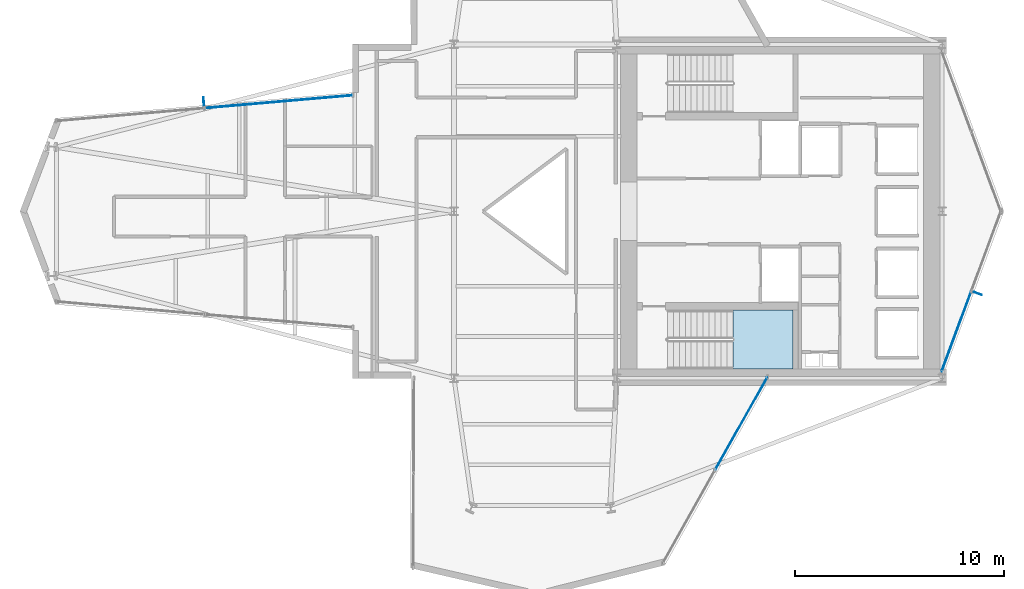
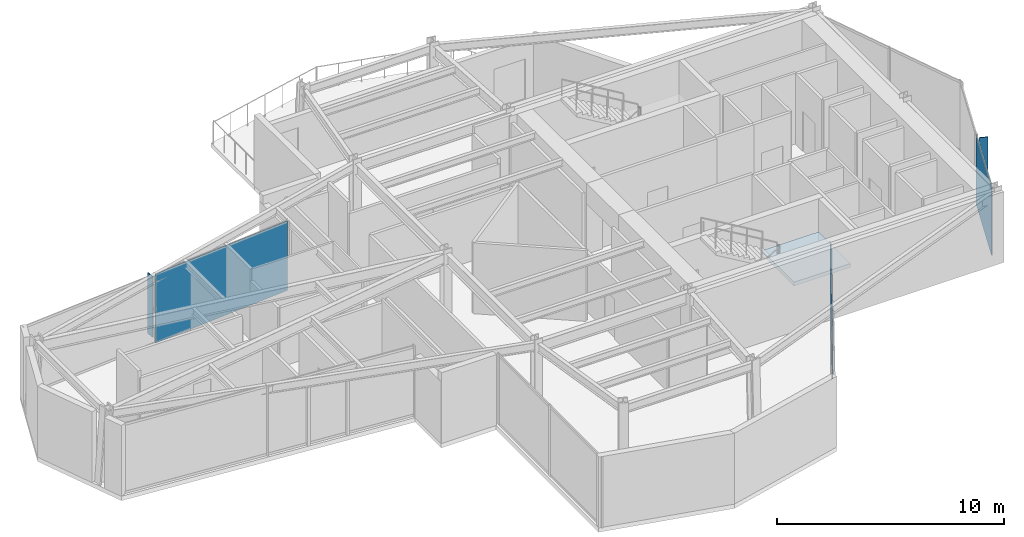
# One storey, part 18 of 23: 5 plates, 1 slab, 4 elements without a shape of their own.
"""IFC4 building model written with IfcOpenShell, lengths in metres."""

import ifcopenshell
import ifcopenshell.guid

model = None  # the IFC model being written
_history = None  # IfcOwnerHistory: only IFC2X3 demands one
_inside = {}  # id of a spatial element -> (the spatial element, [elements in it])
_under = {}  # id of a project, library or spatial element -> (it, [spatial elements below it])
_declared = {}  # id of a project -> (the project, [libraries it declares])
_typed = {}  # id of a type object -> (the type object, [elements of that type])
_made_of = {}  # id of a material, layer set ... -> (it, [elements and type objects made of it])


def new_model(schema):
    """Start an empty IFC model of exactly this schema.

    Asked for "IFC4X3", IfcOpenShell would pick the latest addendum, in which some entities
    have other attributes; the version numbers below select the first issue.
    IFC2X3 requires an IfcOwnerHistory on every rooted entity: one is made here for all.
    """
    global model, _history
    if schema == "IFC4X3":
        model = ifcopenshell.file(schema_version=(4, 3, 0, 0))
    else:
        model = ifcopenshell.file(schema=schema)
    _inside.clear()
    _under.clear()
    _declared.clear()
    _typed.clear()
    _made_of.clear()
    _history = None
    if model.schema == "IFC2X3":
        org = make("IfcOrganization", Name="unknown")
        user = make(
            "IfcPersonAndOrganization",
            ThePerson=make("IfcPerson", FamilyName="unknown"),
            TheOrganization=org,
        )
        app = make(
            "IfcApplication",
            ApplicationDeveloper=org,
            Version="unknown",
            ApplicationFullName="unknown",
            ApplicationIdentifier="unknown",
        )
        _history = make(
            "IfcOwnerHistory",
            OwningUser=user,
            OwningApplication=app,
            ChangeAction="ADDED",
            CreationDate=0,
        )
    return model


def make(cls, **values):
    """One entity of the class cls with the attributes given. An attribute that is None is left unset."""
    return model.create_entity(
        cls, **{name: value for name, value in values.items() if value is not None}
    )


def rooted(cls, **values):
    """An entity with a GlobalId (a new one), such as an element, a storey or a relation."""
    return make(cls, GlobalId=ifcopenshell.guid.new(), OwnerHistory=_history, **values)


def si_unit(unit_type, name, prefix=None):
    """IfcSIUnit, for example si_unit("LENGTHUNIT", "METRE", prefix="MILLI")."""
    return make("IfcSIUnit", UnitType=unit_type, Prefix=prefix, Name=name)


def assignment(units):
    """IfcUnitAssignment: the units of a project."""
    return None if units is None else make("IfcUnitAssignment", Units=units)


def point(xyz):
    """IfcCartesianPoint."""
    return None if xyz is None else make("IfcCartesianPoint", Coordinates=xyz)


def direction(xyz):
    """IfcDirection."""
    return None if xyz is None else make("IfcDirection", DirectionRatios=xyz)


def frame(location, z_axis=None, x_axis=None):
    """IfcAxis2Placement3D, a coordinate frame: its origin and axes. An axis left out is left unset."""
    return make(
        "IfcAxis2Placement3D",
        Location=point(location),
        Axis=direction(z_axis),
        RefDirection=direction(x_axis),
    )


def frame_2d(location, x_axis=None):
    """IfcAxis2Placement2D, a coordinate frame in the plane: its origin and x axis."""
    return make(
        "IfcAxis2Placement2D", Location=point(location), RefDirection=direction(x_axis)
    )


def origin():
    """The frame at (0, 0, 0) with its axes left unset."""
    return frame((0.0, 0.0, 0.0))


def origin_2d():
    """The frame at (0, 0) in the plane with its x axis left unset."""
    return frame_2d((0.0, 0.0))


def place(relative_to, where):
    """IfcLocalPlacement: puts the frame where relative to a parent placement (None: the world)."""
    return make(
        "IfcLocalPlacement", PlacementRelTo=relative_to, RelativePlacement=where
    )


def context(
    kind, dimensions, precision=None, world=None, true_north=None, identifier=None
):
    """IfcGeometricRepresentationContext, for example the 3D "Model" context."""
    return make(
        "IfcGeometricRepresentationContext",
        ContextIdentifier=identifier,
        ContextType=kind,
        CoordinateSpaceDimension=dimensions,
        Precision=precision,
        WorldCoordinateSystem=world,
        TrueNorth=true_north,
    )


def subcontext(parent, identifier, kind, view, scale=None):
    """IfcGeometricRepresentationSubContext, for example "Body" below "Model"."""
    return make(
        "IfcGeometricRepresentationSubContext",
        ContextIdentifier=identifier,
        ContextType=kind,
        ParentContext=parent,
        TargetScale=scale,
        TargetView=view,
    )


def project(units=None, contexts=None):
    """IfcProject with its units and contexts."""
    return rooted(
        "IfcProject",
        Name="project",
        RepresentationContexts=contexts,
        UnitsInContext=assignment(units),
    )


def spatial(cls, under=None, at=None, **own):
    """A site, building, storey or space (cls), placed at a placement, below another one or the project."""
    s = rooted(cls, ObjectPlacement=at, **own)
    if under is not None:
        _under.setdefault(under.id(), (under, []))[1].append(s)
    return s


def polyline(points):
    """IfcPolyline through the points."""
    return make("IfcPolyline", Points=[point(p) for p in points])


def profile(cls, at=None, kind="AREA", **sizes):
    """A parametric profile (cls). Its sizes go by their IFC names, for example OverallWidth=200.0."""
    return make(cls, ProfileType=kind, Position=at, **sizes)


def rectangle(**sizes):
    """IfcRectangleProfileDef."""
    return profile("IfcRectangleProfileDef", **sizes)


def outline(outer, holes=None, kind="AREA"):
    """IfcArbitraryClosedProfileDef: a profile drawn as a closed curve; with holes, ...WithVoids."""
    if holes is None:
        return make("IfcArbitraryClosedProfileDef", ProfileType=kind, OuterCurve=outer)
    return make(
        "IfcArbitraryProfileDefWithVoids",
        ProfileType=kind,
        OuterCurve=outer,
        InnerCurves=holes,
    )


def extrude(swept, where, along, depth):
    """IfcExtrudedAreaSolid: the profile swept, set in the frame where, extruded along a direction by depth."""
    return make(
        "IfcExtrudedAreaSolid",
        SweptArea=swept,
        Position=where,
        ExtrudedDirection=direction(along),
        Depth=depth,
    )


def shape(context_of_items, identifier, shape_type, items):
    """IfcShapeRepresentation: the items that make up one representation, for example the "Body"."""
    return make(
        "IfcShapeRepresentation",
        ContextOfItems=context_of_items,
        RepresentationIdentifier=identifier,
        RepresentationType=shape_type,
        Items=items,
    )


def material(Name=None, Category=None):
    """IfcMaterial."""
    return make("IfcMaterial", Name=Name, Category=Category)


def layer(
    of_material, thickness, ventilated=None, Name=None, Category=None, Priority=None
):
    """IfcMaterialLayer: one layer of a wall or slab, of a material (None: an air gap)."""
    return make(
        "IfcMaterialLayer",
        Material=of_material,
        LayerThickness=thickness,
        IsVentilated=ventilated,
        Name=Name,
        Category=Category,
        Priority=Priority,
    )


def layer_set(layers, Name=None):
    """IfcMaterialLayerSet."""
    return make("IfcMaterialLayerSet", MaterialLayers=layers, LayerSetName=Name)


def made_of(thing, what):
    """Note that an element or type object is made of a material, layer set ...; save() writes the relation."""
    if what is not None:
        _made_of.setdefault(what.id(), (what, []))[1].append(thing)
    return thing


def type_object(cls, material=None, **own):
    """A type object (cls), such as IfcWallType, which elements share."""
    return made_of(rooted(cls, **own), material)


def element(
    cls,
    number,
    at=None,
    inside=None,
    cuts=None,
    type_object=None,
    material=None,
    context=None,
    identifier="Body",
    shape_type=None,
    held_by="IfcProductDefinitionShape",
    body=None,
    shapes=None,
    **own,
):
    """One element of the class cls, such as IfcWall. Its Tag is "e" and its number.

    at: its placement. inside: the storey or other place that contains it. cuts: it is an
    opening in that element (IfcRelVoidsElement). A single representation is given by context,
    identifier, shape_type and body (its items); several are given by shapes. held_by: the class
    of the entity that holds the representations. save() writes the other relations.
    """
    e = rooted(cls, Tag="e%d" % number, ObjectPlacement=at, **own)
    if body is not None:
        shapes = [shape(context, identifier, shape_type, body)]
    if shapes is not None:
        e.Representation = make(held_by, Representations=shapes)
    if inside is not None:
        _inside.setdefault(inside.id(), (inside, []))[1].append(e)
    if cuts is not None:
        rooted(
            "IfcRelVoidsElement", RelatingBuildingElement=cuts, RelatedOpeningElement=e
        )
    if type_object is not None:
        _typed.setdefault(type_object.id(), (type_object, []))[1].append(e)
    return made_of(e, material)


def aggregate(whole, parts):
    """IfcRelAggregates: a whole, such as a stair, and the parts it consists of."""
    return rooted("IfcRelAggregates", RelatingObject=whole, RelatedObjects=parts)


def save(model, path):
    """Write the relations noted so far, then the file.

    IfcRelAggregates (storeys below a building ...), IfcRelContainedInSpatialStructure (elements
    in a storey), IfcRelDefinesByType, IfcRelAssociatesMaterial and IfcRelDeclares: one each for
    every whole, place, type object, material and project.
    """
    for whole, parts in _under.values():
        aggregate(whole, parts)
    for where, things in _inside.values():
        rooted(
            "IfcRelContainedInSpatialStructure",
            RelatedElements=things,
            RelatingStructure=where,
        )
    for kind, things in _typed.values():
        rooted("IfcRelDefinesByType", RelatedObjects=things, RelatingType=kind)
    for what, things in _made_of.values():
        rooted("IfcRelAssociatesMaterial", RelatedObjects=things, RelatingMaterial=what)
    for by, libraries in _declared.values():
        rooted("IfcRelDeclares", RelatingContext=by, RelatedDefinitions=libraries)
    model.write(path)


model = new_model("IFC4")

# Units and contexts
model_context = context("Model", 3, precision=1e-05, world=origin(), true_north=direction((0.0, 1.0)))
body_context = subcontext(model_context, "Body", "Model", "MODEL_VIEW")
ifc_project = project(units=[si_unit("LENGTHUNIT", "METRE"), si_unit("AREAUNIT", "SQUARE_METRE"), si_unit("VOLUMEUNIT", "CUBIC_METRE"), si_unit("PLANEANGLEUNIT", "RADIAN"), si_unit("MASSUNIT", "GRAM", prefix="KILO")], contexts=[model_context])

# Site, building, storey
site_placement = place(None, origin())
site = spatial("IfcSite", under=ifc_project, at=site_placement, CompositionType="ELEMENT")
building_placement = place(site_placement, origin())
building = spatial("IfcBuilding", under=site, at=building_placement, Name="Veymaron Broadcast Tower", CompositionType="ELEMENT")
storey_placement = place(building_placement, frame((0.0, 0.0, 165.449951171875)))
storey = spatial("IfcBuildingStorey", under=building, at=storey_placement, Name="L38", CompositionType="ELEMENT", Elevation=165.449951171875)

# Curtain wall, plate
ifc_material_1 = material(Name="Anodised aluminium AA 6063-T6 and laminated low-E dark glass", Category="aluminium")
ifc_layer_1 = layer(ifc_material_1, 0.179931640625)
ifc_layer_set_1 = layer_set([ifc_layer_1], Name="Anodised aluminium AA 6063-T6 and laminated low-E dark glass")
curtain_wall_type = type_object("IfcCurtainWallType", Name="CW-SYS-03", PredefinedType="NOTDEFINED", material=ifc_layer_set_1)
curtain_wall_1_placement = place(storey_placement, origin())
curtain_wall_1 = element("IfcCurtainWall", 1, at=curtain_wall_1_placement, inside=storey, type_object=curtain_wall_type, Name="L38 dark-glass curtain wall CW-L38-E1-1", PredefinedType="NOTDEFINED")
ifc_material_2 = material(Name="Insulated dark-anodised aluminium spandrel panel 40 mm", Category="aluminium")
ifc_layer_2 = layer(ifc_material_2, 0.0400390625)
ifc_layer_set_2 = layer_set([ifc_layer_2], Name="Insulated dark-anodised aluminium spandrel panel 40 mm")
plate_type_1 = type_object("IfcPlateType", Name="CW-PNL-03", PredefinedType="CURTAIN_PANEL", material=ifc_layer_set_2)
plate_1_placement = place(storey_placement, frame((44.970947265625, 13.8330078125, 0.0400390625), z_axis=(0.0, 0.0, 1.0), x_axis=(0.490143289315, 0.871641873673, 0.0)))
plate_1 = element("IfcPlate", 2, at=plate_1_placement, type_object=plate_type_1, Name="CW-L38-E1-1 unitised curtain panel 1", PredefinedType="CURTAIN_PANEL", context=body_context, shape_type="SweptSolid", body=[
    extrude(rectangle(XDim=5.0693359375, YDim=0.0400390625, at=origin_2d()), origin(), (0.0, 0.0, 1.0), 3.72998046875),
])
aggregate(curtain_wall_1, [plate_1])

curtain_wall_2_placement = place(storey_placement, origin())
curtain_wall_2 = element("IfcCurtainWall", 3, at=curtain_wall_2_placement, inside=storey, type_object=curtain_wall_type, Name="L38 dark-glass curtain wall CW-L38-E3-1", PredefinedType="NOTDEFINED")
plate_2_placement = place(storey_placement, frame((55.27880859375, 18.2373046875, 0.0400390625), z_axis=(0.0, 0.0, 1.0), x_axis=(0.347115706928, 0.937822310464, 0.0)))
plate_2 = element("IfcPlate", 4, at=plate_2_placement, type_object=plate_type_1, Name="CW-L38-E3-1 unitised curtain panel 0", PredefinedType="CURTAIN_PANEL", context=body_context, shape_type="SweptSolid", body=[
    extrude(rectangle(XDim=4.07080078125, YDim=0.0400390625, at=origin_2d()), origin(), (0.0, 0.0, 1.0), 3.72998046875),
])
aggregate(curtain_wall_2, [plate_2])

curtain_wall_3_placement = place(storey_placement, origin())
curtain_wall_3 = element("IfcCurtainWall", 5, at=curtain_wall_3_placement, inside=storey, type_object=curtain_wall_type, Name="L38 dark-glass curtain wall CW-L38-E11-1", PredefinedType="NOTDEFINED")
plate_3_placement = place(storey_placement, frame((22.795166015625, 29.251708984375, 0.0400390625), z_axis=(0.0, 0.0, 1.0), x_axis=(-0.996255301507, -0.086460246466, 0.0)))
plate_3 = element("IfcPlate", 6, at=plate_3_placement, type_object=plate_type_1, Name="CW-L38-E11-1 unitised curtain panel 0", PredefinedType="CURTAIN_PANEL", context=body_context, shape_type="SweptSolid", body=[
    extrude(rectangle(XDim=7.0888671875, YDim=0.0400390625, at=origin_2d()), origin(), (0.0, 0.0, 1.0), 3.72998046875),
])
aggregate(curtain_wall_3, [plate_3])

# Plates
ifc_material_3 = material(Name="Dark-anodised aluminium AA 6061-T6", Category="aluminium")
ifc_layer_3 = layer(ifc_material_3, 0.031982421875)
ifc_layer_set_3 = layer_set([ifc_layer_3], Name="Dark-anodised aluminium AA 6061-T6")
plate_type_2 = type_object("IfcPlateType", Name="FIN-CHEV-03", PredefinedType="USERDEFINED", material=ifc_layer_set_3)
for number, where, z_axis, x_axis, name in (
    (7, (56.305419921875, 20.06005859375, 0.2666015625), (0.0, 0.0, 1.0), (0.937822310464, -0.347115706928, 0.0), "CW-L38-E3-1 chevron fin 1"),
    (8, (19.20556640625, 29.271484375, 0.2666015625), (0.0, 0.0, 1.0), (-0.086460246466, 0.996255301507, 0.0), "CW-L38-E11-1 chevron fin 1"),
):
    element("IfcPlate", number, at=place(storey_placement, frame(where, z_axis=z_axis, x_axis=x_axis)), inside=storey, type_object=plate_type_2, Name=name, ObjectType="FIN", PredefinedType="USERDEFINED", context=body_context, shape_type="SweptSolid", body=[
        extrude(rectangle(XDim=0.39990234375, YDim=0.034912109375, at=origin_2d()), origin(), (0.0, 0.0, 1.0), 3.276611328125),
    ])

# Stair, slab
ifc_material_4 = material(Name="Concrete C50/60", Category="concrete")
stair_type = type_object("IfcStairType", Name="STAIR-CORE-2", PredefinedType="HALF_TURN_STAIR", material=ifc_material_4)
stair_placement = place(storey_placement, origin())
stair = element("IfcStair", 9, at=stair_placement, inside=storey, type_object=stair_type, Name="L38 South protected dog-leg exit stair ST2", PredefinedType="HALF_TURN_STAIR")
ifc_layer_4 = layer(ifc_material_4, 0.199951171875)
ifc_layer_set_4 = layer_set([ifc_layer_4], Name="Concrete C50/60")
slab_type = type_object("IfcSlabType", Name="SLAB-STAIR-LDG", PredefinedType="LANDING", material=ifc_layer_set_4)
slab_placement = place(storey_placement, frame((0.0, 0.0, 1.824951171875)))
slab = element("IfcSlab", 10, at=slab_placement, type_object=slab_type, Name="ST2 landing 1", PredefinedType="LANDING", context=body_context, shape_type="SweptSolid", body=[
    extrude(outline(polyline([(44.56494140625, 16.449951171875), (47.43994140625, 16.449951171875), (47.43994140625, 19.27001953125), (44.56494140625, 19.27001953125), (44.56494140625, 16.449951171875)])), origin(), (0.0, 0.0, 1.0), 0.2001953125),
])
aggregate(stair, [slab])

save(model, "model.ifc")
